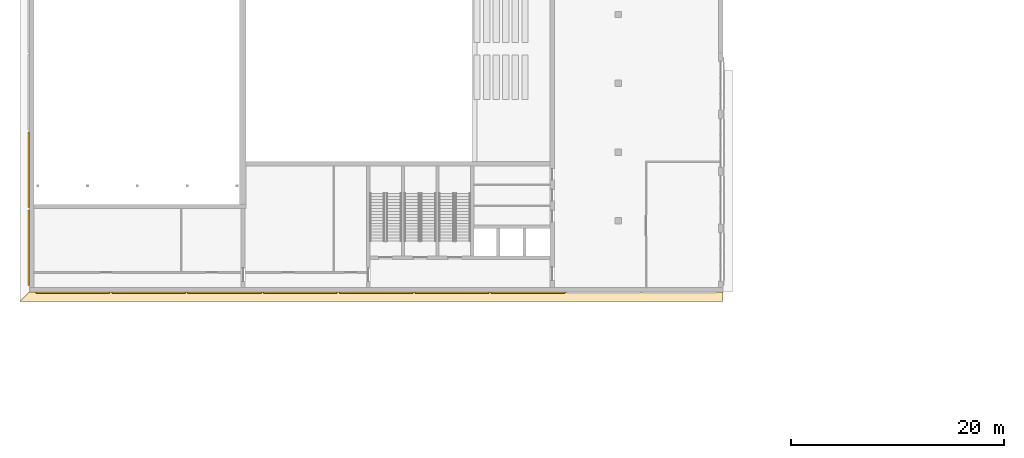
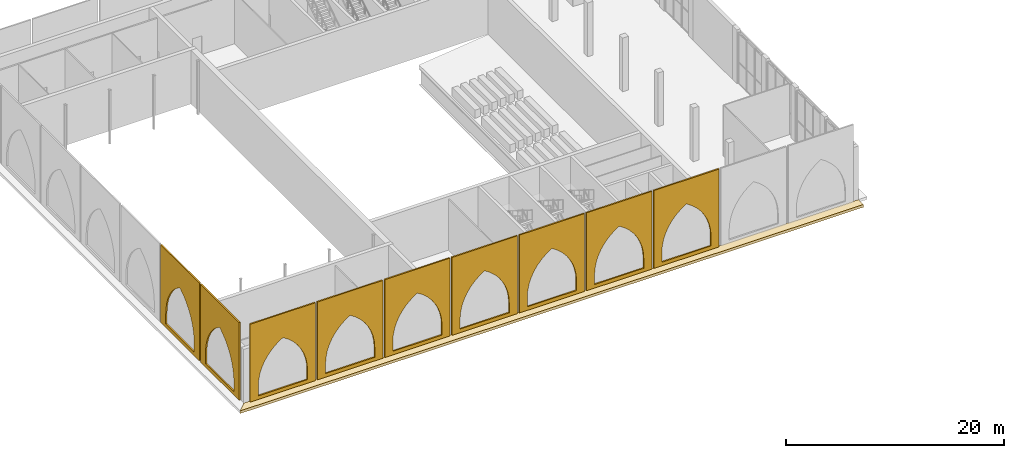
# One storey, part 30 of 74: 10 coverings.
"""IFC4 building model written with IfcOpenShell, lengths in metres."""

from ifc_helpers import new_model, si_unit, direction, frame, origin, place, context, subcontext, project, spatial, polyline, outline, extrude, material, layer, layer_set, type_object, element, save


model = new_model("IFC4")

# Units and contexts
model_context = context("Model", 3, precision=1e-05, world=origin(), true_north=direction((0.0, 1.0)))
body_context = subcontext(model_context, "Body", "Model", "MODEL_VIEW")
ifc_project = project(units=[si_unit("LENGTHUNIT", "METRE"), si_unit("AREAUNIT", "SQUARE_METRE"), si_unit("VOLUMEUNIT", "CUBIC_METRE"), si_unit("PLANEANGLEUNIT", "RADIAN"), si_unit("MASSUNIT", "GRAM", prefix="KILO")], contexts=[model_context])

# Site, building, storey
site_placement = place(None, origin())
site = spatial("IfcSite", under=ifc_project, at=site_placement, CompositionType="ELEMENT")
building_placement = place(site_placement, origin())
building = spatial("IfcBuilding", under=site, at=building_placement, Name="Noorbagh Ring Tower", CompositionType="ELEMENT")
storey_placement = place(building_placement, frame((0.0, 0.0, 13.5)))
storey = spatial("IfcBuildingStorey", under=building, at=storey_placement, Name="L02", CompositionType="ELEMENT", Elevation=13.5)

# Coverings
ifc_material_1 = material(Name="Red sandstone cladding", Category="masonry")
ifc_layer = layer(ifc_material_1, 0.14990234375)
ifc_layer_set = layer_set([ifc_layer], Name="Red sandstone cladding")
covering_type_1 = type_object("IfcCoveringType", Name="STH-BLIND", PredefinedType="USERDEFINED", material=ifc_layer_set)
covering_1_placement = place(storey_placement, frame((-159.39990234375, -21.14990234375, 0.0), z_axis=(0.0, -1.0, 0.0), x_axis=(1.0, 0.0, 0.0)))
element("IfcCovering", 1, at=covering_1_placement, inside=storey, type_object=covering_type_1, Name="Blind arch bay", ObjectType="ARCH", PredefinedType="USERDEFINED", context=body_context, shape_type="SweptSolid", body=[
    extrude(outline(polyline([(0.0, 0.0), (6.910888671875, 0.0), (6.910888671875, 8.699951171875), (0.0, 8.699951171875), (0.0, 0.0)]), holes=[polyline([(0.855712890625, 0.39990234375), (0.855712890625, 1.5), (0.900146484375, 2.1787109375), (1.03271484375, 2.845947265625), (1.25146484375, 3.489990234375), (1.55224609375, 4.10009765625), (1.93017578125, 4.66552734375), (2.378662109375, 5.177001953125), (2.889892578125, 5.62548828125), (3.45556640625, 6.00341796875), (4.021240234375, 5.62548828125), (4.53271484375, 5.177001953125), (4.98095703125, 4.66552734375), (5.35888671875, 4.10009765625), (5.659912109375, 3.489990234375), (5.87841796875, 2.845947265625), (6.010986328125, 2.1787109375), (6.0556640625, 1.5), (6.0556640625, 0.39990234375), (0.855712890625, 0.39990234375)])]), origin(), (0.0, 0.0, -1.0), 0.14990234375),
])
for number, where, z_axis, x_axis, name in (
    (2, (-152.288818359375, -21.14990234375, 0.0), (0.0, -1.0, 0.0), (1.0, 0.0, 0.0), "Blind arch bay"),
    (3, (-145.177734375, -21.14990234375, 0.0), (0.0, -1.0, 0.0), (1.0, 0.0, 0.0), "Blind arch bay"),
    (4, (-138.066650390625, -21.14990234375, 0.0), (0.0, -1.0, 0.0), (1.0, 0.0, 0.0), "Blind arch bay"),
    (5, (-130.95556640625, -21.14990234375, 0.0), (0.0, -1.0, 0.0), (1.0, 0.0, 0.0), "Blind arch bay"),
    (6, (-123.844482421875, -21.14990234375, 0.0), (0.0, -1.0, 0.0), (1.0, 0.0, 0.0), "Blind arch bay"),
    (7, (-116.7333984375, -21.14990234375, 0.0), (0.0, -1.0, 0.0), (1.0, 0.0, 0.0), "Blind arch bay"),
):
    element("IfcCovering", number, at=place(storey_placement, frame(where, z_axis=z_axis, x_axis=x_axis)), inside=storey, type_object=covering_type_1, Name=name, ObjectType="ARCH", PredefinedType="USERDEFINED", context=body_context, shape_type="SweptSolid", body=[
        extrude(outline(polyline([(0.0, 0.0), (6.9111328125, 0.0), (6.9111328125, 8.699951171875), (0.0, 8.699951171875), (0.0, 0.0)]), holes=[polyline([(0.855712890625, 0.39990234375), (0.855712890625, 1.5), (0.900146484375, 2.1787109375), (1.03271484375, 2.845947265625), (1.25146484375, 3.489990234375), (1.55224609375, 4.10009765625), (1.93017578125, 4.66552734375), (2.378662109375, 5.177001953125), (2.889892578125, 5.62548828125), (3.45556640625, 6.00341796875), (4.021240234375, 5.62548828125), (4.53271484375, 5.177001953125), (4.98095703125, 4.66552734375), (5.35888671875, 4.10009765625), (5.659912109375, 3.489990234375), (5.87841796875, 2.845947265625), (6.010986328125, 2.1787109375), (6.0556640625, 1.5), (6.0556640625, 0.39990234375), (0.855712890625, 0.39990234375)])]), origin(), (0.0, 0.0, -1.0), 0.14990234375),
    ])
for number, where, z_axis, x_axis, name in (
    (8, (-160.14990234375, -6.028564453125, 0.0), (-1.0, 0.0, 0.0), (0.0, -1.0, 0.0), "Blind arch bay"),
    (9, (-160.14990234375, -13.314208984375, 0.0), (-1.0, 0.0, 0.0), (0.0, -1.0, 0.0), "Blind arch bay"),
):
    element("IfcCovering", number, at=place(storey_placement, frame(where, z_axis=z_axis, x_axis=x_axis)), inside=storey, type_object=covering_type_1, Name=name, ObjectType="ARCH", PredefinedType="USERDEFINED", context=body_context, shape_type="SweptSolid", body=[
        extrude(outline(polyline([(0.0, 0.0), (7.085693359375, 0.0), (7.085693359375, 8.699951171875), (0.0, 8.699951171875), (0.0, 0.0)]), holes=[polyline([(0.94287109375, 0.39990234375), (0.94287109375, 1.5), (0.9873046875, 2.1787109375), (1.1201171875, 2.845947265625), (1.338623046875, 3.489990234375), (1.6396484375, 4.10009765625), (2.017578125, 4.66552734375), (2.4658203125, 5.177001953125), (2.977294921875, 5.62548828125), (3.54296875, 6.00341796875), (4.1083984375, 5.62548828125), (4.619873046875, 5.177001953125), (5.068359375, 4.66552734375), (5.4462890625, 4.10009765625), (5.7470703125, 3.489990234375), (5.9658203125, 2.845947265625), (6.098388671875, 2.1787109375), (6.142822265625, 1.5), (6.142822265625, 0.39990234375), (0.94287109375, 0.39990234375)])]), origin(), (0.0, 0.0, -1.0), 0.14990234375),
    ])
ifc_material_2 = material(Name="Red sandstone eave", Category="masonry")
covering_type_2 = type_object("IfcCoveringType", Name="STH-CHHAJJA", PredefinedType="USERDEFINED", material=ifc_material_2)
covering_2_placement = place(storey_placement, frame((0.0, 0.0, -0.300048828125)))
element("IfcCovering", 10, at=covering_2_placement, inside=storey, type_object=covering_type_2, Name="Chhajja eave", ObjectType="CHHAJJA", PredefinedType="USERDEFINED", context=body_context, shape_type="SweptSolid", body=[
    extrude(outline(polyline([(-160.0, -21.0), (-95.0, -21.0), (-95.0, -21.89990234375), (-160.89990234375, -21.89990234375), (-160.0, -21.0)])), origin(), (0.0, 0.0, 1.0), 0.300048828125),
])

save(model, "model.ifc")
